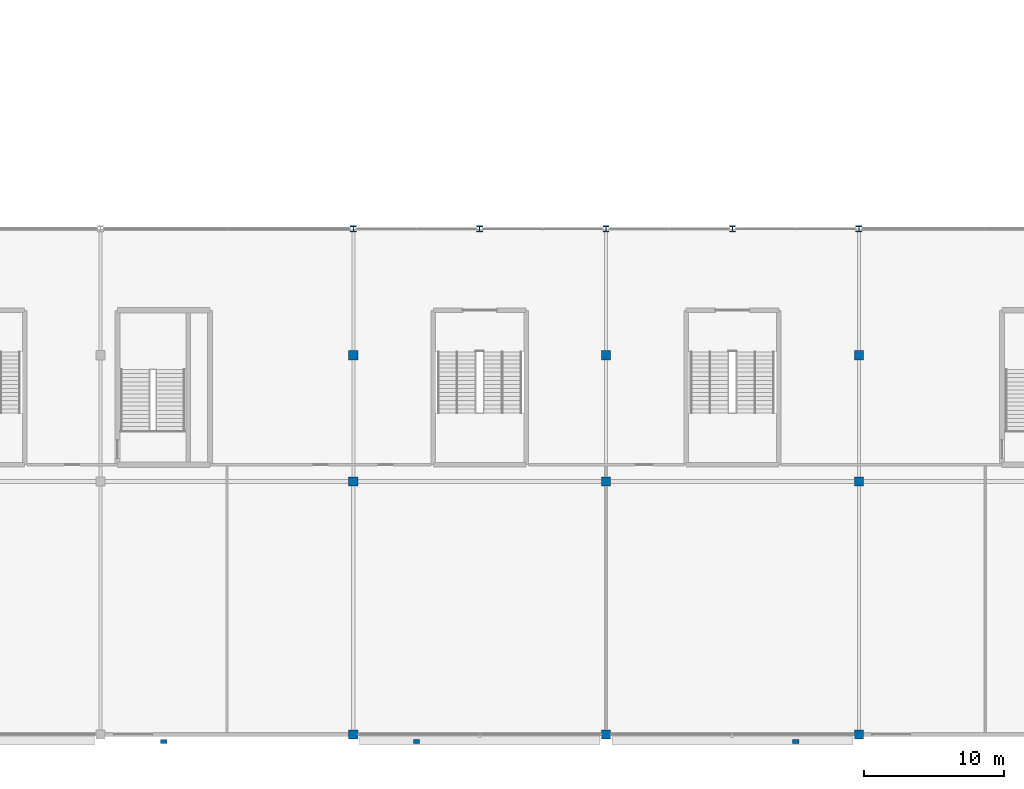
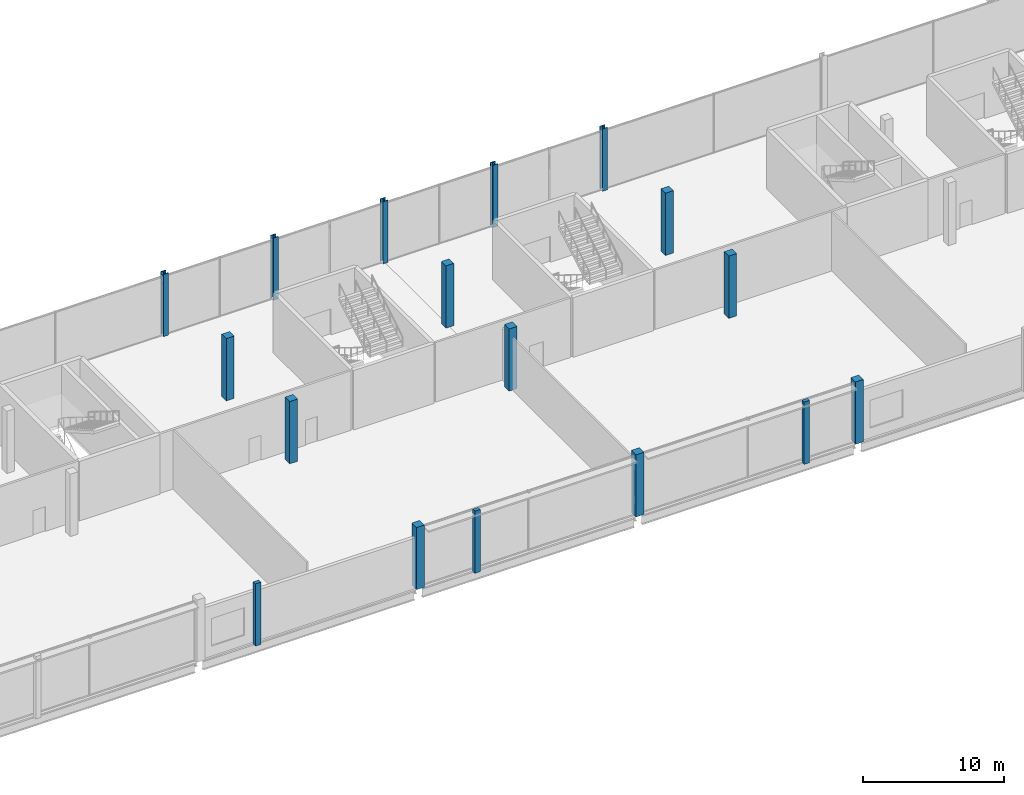
# One storey, part 3 of 111: 17 columns.
"""IFC4 building model written with IfcOpenShell, lengths in metres."""

import ifcopenshell
import ifcopenshell.guid

model = None  # the IFC model being written
_history = None  # IfcOwnerHistory: only IFC2X3 demands one
_inside = {}  # id of a spatial element -> (the spatial element, [elements in it])
_under = {}  # id of a project, library or spatial element -> (it, [spatial elements below it])
_declared = {}  # id of a project -> (the project, [libraries it declares])
_typed = {}  # id of a type object -> (the type object, [elements of that type])
_made_of = {}  # id of a material, layer set ... -> (it, [elements and type objects made of it])


def new_model(schema):
    """Start an empty IFC model of exactly this schema.

    Asked for "IFC4X3", IfcOpenShell would pick the latest addendum, in which some entities
    have other attributes; the version numbers below select the first issue.
    IFC2X3 requires an IfcOwnerHistory on every rooted entity: one is made here for all.
    """
    global model, _history
    if schema == "IFC4X3":
        model = ifcopenshell.file(schema_version=(4, 3, 0, 0))
    else:
        model = ifcopenshell.file(schema=schema)
    _inside.clear()
    _under.clear()
    _declared.clear()
    _typed.clear()
    _made_of.clear()
    _history = None
    if model.schema == "IFC2X3":
        org = make("IfcOrganization", Name="unknown")
        user = make(
            "IfcPersonAndOrganization",
            ThePerson=make("IfcPerson", FamilyName="unknown"),
            TheOrganization=org,
        )
        app = make(
            "IfcApplication",
            ApplicationDeveloper=org,
            Version="unknown",
            ApplicationFullName="unknown",
            ApplicationIdentifier="unknown",
        )
        _history = make(
            "IfcOwnerHistory",
            OwningUser=user,
            OwningApplication=app,
            ChangeAction="ADDED",
            CreationDate=0,
        )
    return model


def make(cls, **values):
    """One entity of the class cls with the attributes given. An attribute that is None is left unset."""
    return model.create_entity(
        cls, **{name: value for name, value in values.items() if value is not None}
    )


def rooted(cls, **values):
    """An entity with a GlobalId (a new one), such as an element, a storey or a relation."""
    return make(cls, GlobalId=ifcopenshell.guid.new(), OwnerHistory=_history, **values)


def si_unit(unit_type, name, prefix=None):
    """IfcSIUnit, for example si_unit("LENGTHUNIT", "METRE", prefix="MILLI")."""
    return make("IfcSIUnit", UnitType=unit_type, Prefix=prefix, Name=name)


def assignment(units):
    """IfcUnitAssignment: the units of a project."""
    return None if units is None else make("IfcUnitAssignment", Units=units)


def point(xyz):
    """IfcCartesianPoint."""
    return None if xyz is None else make("IfcCartesianPoint", Coordinates=xyz)


def direction(xyz):
    """IfcDirection."""
    return None if xyz is None else make("IfcDirection", DirectionRatios=xyz)


def frame(location, z_axis=None, x_axis=None):
    """IfcAxis2Placement3D, a coordinate frame: its origin and axes. An axis left out is left unset."""
    return make(
        "IfcAxis2Placement3D",
        Location=point(location),
        Axis=direction(z_axis),
        RefDirection=direction(x_axis),
    )


def frame_2d(location, x_axis=None):
    """IfcAxis2Placement2D, a coordinate frame in the plane: its origin and x axis."""
    return make(
        "IfcAxis2Placement2D", Location=point(location), RefDirection=direction(x_axis)
    )


def origin():
    """The frame at (0, 0, 0) with its axes left unset."""
    return frame((0.0, 0.0, 0.0))


def origin_2d():
    """The frame at (0, 0) in the plane with its x axis left unset."""
    return frame_2d((0.0, 0.0))


def place(relative_to, where):
    """IfcLocalPlacement: puts the frame where relative to a parent placement (None: the world)."""
    return make(
        "IfcLocalPlacement", PlacementRelTo=relative_to, RelativePlacement=where
    )


def context(
    kind, dimensions, precision=None, world=None, true_north=None, identifier=None
):
    """IfcGeometricRepresentationContext, for example the 3D "Model" context."""
    return make(
        "IfcGeometricRepresentationContext",
        ContextIdentifier=identifier,
        ContextType=kind,
        CoordinateSpaceDimension=dimensions,
        Precision=precision,
        WorldCoordinateSystem=world,
        TrueNorth=true_north,
    )


def subcontext(parent, identifier, kind, view, scale=None):
    """IfcGeometricRepresentationSubContext, for example "Body" below "Model"."""
    return make(
        "IfcGeometricRepresentationSubContext",
        ContextIdentifier=identifier,
        ContextType=kind,
        ParentContext=parent,
        TargetScale=scale,
        TargetView=view,
    )


def project(units=None, contexts=None):
    """IfcProject with its units and contexts."""
    return rooted(
        "IfcProject",
        Name="project",
        RepresentationContexts=contexts,
        UnitsInContext=assignment(units),
    )


def spatial(cls, under=None, at=None, **own):
    """A site, building, storey or space (cls), placed at a placement, below another one or the project."""
    s = rooted(cls, ObjectPlacement=at, **own)
    if under is not None:
        _under.setdefault(under.id(), (under, []))[1].append(s)
    return s


def profile(cls, at=None, kind="AREA", **sizes):
    """A parametric profile (cls). Its sizes go by their IFC names, for example OverallWidth=200.0."""
    return make(cls, ProfileType=kind, Position=at, **sizes)


def rectangle(**sizes):
    """IfcRectangleProfileDef."""
    return profile("IfcRectangleProfileDef", **sizes)


def i_section(**sizes):
    """IfcIShapeProfileDef."""
    return profile("IfcIShapeProfileDef", **sizes)


def extrude(swept, where, along, depth):
    """IfcExtrudedAreaSolid: the profile swept, set in the frame where, extruded along a direction by depth."""
    return make(
        "IfcExtrudedAreaSolid",
        SweptArea=swept,
        Position=where,
        ExtrudedDirection=direction(along),
        Depth=depth,
    )


def shape(context_of_items, identifier, shape_type, items):
    """IfcShapeRepresentation: the items that make up one representation, for example the "Body"."""
    return make(
        "IfcShapeRepresentation",
        ContextOfItems=context_of_items,
        RepresentationIdentifier=identifier,
        RepresentationType=shape_type,
        Items=items,
    )


def material(Name=None, Category=None):
    """IfcMaterial."""
    return make("IfcMaterial", Name=Name, Category=Category)


def material_profile(
    of_material, cross_section, Name=None, Category=None, Priority=None
):
    """IfcMaterialProfile: a cross section and its material."""
    return make(
        "IfcMaterialProfile",
        Name=Name,
        Material=of_material,
        Profile=cross_section,
        Priority=Priority,
        Category=Category,
    )


def profile_set(profiles, Name=None, composite=None):
    """IfcMaterialProfileSet."""
    return make(
        "IfcMaterialProfileSet",
        Name=Name,
        MaterialProfiles=profiles,
        CompositeProfile=composite,
    )


def made_of(thing, what):
    """Note that an element or type object is made of a material, layer set ...; save() writes the relation."""
    if what is not None:
        _made_of.setdefault(what.id(), (what, []))[1].append(thing)
    return thing


def type_object(cls, material=None, **own):
    """A type object (cls), such as IfcWallType, which elements share."""
    return made_of(rooted(cls, **own), material)


def element(
    cls,
    number,
    at=None,
    inside=None,
    cuts=None,
    type_object=None,
    material=None,
    context=None,
    identifier="Body",
    shape_type=None,
    held_by="IfcProductDefinitionShape",
    body=None,
    shapes=None,
    **own,
):
    """One element of the class cls, such as IfcWall. Its Tag is "e" and its number.

    at: its placement. inside: the storey or other place that contains it. cuts: it is an
    opening in that element (IfcRelVoidsElement). A single representation is given by context,
    identifier, shape_type and body (its items); several are given by shapes. held_by: the class
    of the entity that holds the representations. save() writes the other relations.
    """
    e = rooted(cls, Tag="e%d" % number, ObjectPlacement=at, **own)
    if body is not None:
        shapes = [shape(context, identifier, shape_type, body)]
    if shapes is not None:
        e.Representation = make(held_by, Representations=shapes)
    if inside is not None:
        _inside.setdefault(inside.id(), (inside, []))[1].append(e)
    if cuts is not None:
        rooted(
            "IfcRelVoidsElement", RelatingBuildingElement=cuts, RelatedOpeningElement=e
        )
    if type_object is not None:
        _typed.setdefault(type_object.id(), (type_object, []))[1].append(e)
    return made_of(e, material)


def aggregate(whole, parts):
    """IfcRelAggregates: a whole, such as a stair, and the parts it consists of."""
    return rooted("IfcRelAggregates", RelatingObject=whole, RelatedObjects=parts)


def save(model, path):
    """Write the relations noted so far, then the file.

    IfcRelAggregates (storeys below a building ...), IfcRelContainedInSpatialStructure (elements
    in a storey), IfcRelDefinesByType, IfcRelAssociatesMaterial and IfcRelDeclares: one each for
    every whole, place, type object, material and project.
    """
    for whole, parts in _under.values():
        aggregate(whole, parts)
    for where, things in _inside.values():
        rooted(
            "IfcRelContainedInSpatialStructure",
            RelatedElements=things,
            RelatingStructure=where,
        )
    for kind, things in _typed.values():
        rooted("IfcRelDefinesByType", RelatedObjects=things, RelatingType=kind)
    for what, things in _made_of.values():
        rooted("IfcRelAssociatesMaterial", RelatedObjects=things, RelatingMaterial=what)
    for by, libraries in _declared.values():
        rooted("IfcRelDeclares", RelatingContext=by, RelatedDefinitions=libraries)
    model.write(path)


model = new_model("IFC4")

# Units and contexts
model_context = context("Model", 3, precision=1e-05, world=origin(), true_north=direction((0.0, 1.0)))
body_context = subcontext(model_context, "Body", "Model", "MODEL_VIEW")
ifc_project = project(units=[si_unit("LENGTHUNIT", "METRE"), si_unit("AREAUNIT", "SQUARE_METRE"), si_unit("VOLUMEUNIT", "CUBIC_METRE"), si_unit("PLANEANGLEUNIT", "RADIAN"), si_unit("MASSUNIT", "GRAM", prefix="KILO")], contexts=[model_context])

# Site, building, storey
site_placement = place(None, origin())
site = spatial("IfcSite", under=ifc_project, at=site_placement, CompositionType="ELEMENT")
building_placement = place(site_placement, origin())
building = spatial("IfcBuilding", under=site, at=building_placement, Name="Kisiwana Market Hall", CompositionType="ELEMENT")
storey_placement = place(building_placement, frame((0.0, 0.0, 11.39990234375)))
storey = spatial("IfcBuildingStorey", under=building, at=storey_placement, Name="L02", CompositionType="ELEMENT", Elevation=11.39990234375)

# Columns
ifc_material_1 = material(Name="Concrete C40/50", Category="concrete")
ifc_material_profile_1 = material_profile(ifc_material_1, rectangle(XDim=0.64990234375, YDim=0.64990234375, at=origin_2d()), Name="RC 650x650")
ifc_profile_set_1 = profile_set([ifc_material_profile_1], Name="Concrete C40/50")
column_type_1 = type_object("IfcColumnType", Name="COL-RC-POD-650", PredefinedType="COLUMN", material=ifc_profile_set_1)
for number, where, z_axis, x_axis, name in (
    (1, (81.0, 0.0, 0.0), (0.0, 0.0, 1.0), (1.0, 0.0, 0.0), "Column A/10 (L02) C-0563"),
    (2, (81.0, 18.0, 0.0), (0.0, 0.0, 1.0), (1.0, 0.0, 0.0), "Column C/10 (L02) C-0564"),
    (3, (81.0, 27.0, 0.0), (0.0, 0.0, 1.0), (1.0, 0.0, 0.0), "Column D/10 (L02) C-0565"),
    (4, (99.0, 0.0, 0.0), (0.0, 0.0, 1.0), (1.0, 0.0, 0.0), "Column A/12 (L02) C-0573"),
    (5, (99.0, 18.0, 0.0), (0.0, 0.0, 1.0), (1.0, 0.0, 0.0), "Column C/12 (L02) C-0574"),
    (6, (99.0, 27.0, 0.0), (0.0, 0.0, 1.0), (1.0, 0.0, 0.0), "Column D/12 (L02) C-0575"),
    (7, (117.0, 0.0, 0.0), (0.0, 0.0, 1.0), (1.0, 0.0, 0.0), "Column A/14 (L02) C-0583"),
    (8, (117.0, 18.0, 0.0), (0.0, 0.0, 1.0), (1.0, 0.0, 0.0), "Column C/14 (L02) C-0584"),
    (9, (117.0, 27.0, 0.0), (0.0, 0.0, 1.0), (1.0, 0.0, 0.0), "Column D/14 (L02) C-0585"),
):
    element("IfcColumn", number, at=place(storey_placement, frame(where, z_axis=z_axis, x_axis=x_axis)), inside=storey, type_object=column_type_1, Name=name, PredefinedType="COLUMN", context=body_context, shape_type="SweptSolid", body=[
        extrude(rectangle(XDim=0.64990234375, YDim=0.64990234375, at=origin_2d()), origin(), (0.0, 0.0, 1.0), 5.400146484375),
    ])
ifc_material_2 = material(Name="Steel S355", Category="steel")
ifc_material_profile_2 = material_profile(ifc_material_2, i_section(OverallWidth=0.412109375, OverallDepth=0.43505859375, WebThickness=0.035888671875, FlangeThickness=0.05810546875, at=origin_2d()), Name="HD 400x463")
ifc_profile_set_2 = profile_set([ifc_material_profile_2], Name="Steel S355")
column_type_2 = type_object("IfcColumnType", Name="COL-STL-HD463", PredefinedType="COLUMN", material=ifc_profile_set_2)
for number, where, z_axis, x_axis, name in (
    (10, (81.0, 36.0, 0.0), (0.0, 0.0, 1.0), (1.0, 0.0, 0.0), "Column E/10 (L02) C-0566"),
    (11, (90.0, 36.0, 0.0), (0.0, 0.0, 1.0), (1.0, 0.0, 0.0), "Column E/11 (L02) C-0571"),
    (12, (99.0, 36.0, 0.0), (0.0, 0.0, 1.0), (1.0, 0.0, 0.0), "Column E/12 (L02) C-0576"),
    (13, (108.0, 36.0, 0.0), (0.0, 0.0, 1.0), (1.0, 0.0, 0.0), "Column E/13 (L02) C-0581"),
    (14, (117.0, 36.0, 0.0), (0.0, 0.0, 1.0), (1.0, 0.0, 0.0), "Column E/14 (L02) C-0586"),
):
    element("IfcColumn", number, at=place(storey_placement, frame(where, z_axis=z_axis, x_axis=x_axis)), inside=storey, type_object=column_type_2, Name=name, PredefinedType="COLUMN", context=body_context, shape_type="SweptSolid", body=[
        extrude(i_section(OverallWidth=0.412109375, OverallDepth=0.43505859375, WebThickness=0.035888671875, FlangeThickness=0.05810546875, at=origin_2d()), origin(), (0.0, 0.0, 1.0), 5.400146484375),
    ])
ifc_material_3 = material(Name="Concrete C40/50", Category="concrete")
ifc_material_profile_3 = material_profile(ifc_material_3, rectangle(XDim=0.449951171875, YDim=0.300048828125, at=origin_2d()), Name="PIL 450x300")
ifc_profile_set_3 = profile_set([ifc_material_profile_3], Name="Concrete C40/50")
column_type_3 = type_object("IfcColumnType", Name="PIL-CONC-450", PredefinedType="PILASTER", material=ifc_profile_set_3)
for number, where, z_axis, x_axis, name in (
    (15, (67.5, -0.5, 0.0), (0.0, 0.0, 1.0), (1.0, 0.0, 0.0), "Facade pilaster A/8 (L02) C-0645"),
    (16, (85.5, -0.5, 0.0), (0.0, 0.0, 1.0), (1.0, 0.0, 0.0), "Facade pilaster A/10 (L02) C-0646"),
    (17, (112.5, -0.5, 0.0), (0.0, 0.0, 1.0), (1.0, 0.0, 0.0), "Facade pilaster A/13 (L02) C-0647"),
):
    element("IfcColumn", number, at=place(storey_placement, frame(where, z_axis=z_axis, x_axis=x_axis)), inside=storey, type_object=column_type_3, Name=name, PredefinedType="PILASTER", context=body_context, shape_type="SweptSolid", body=[
        extrude(rectangle(XDim=0.449951171875, YDim=0.300048828125, at=origin_2d()), origin(), (0.0, 0.0, 1.0), 5.400146484375),
    ])

save(model, "model.ifc")
